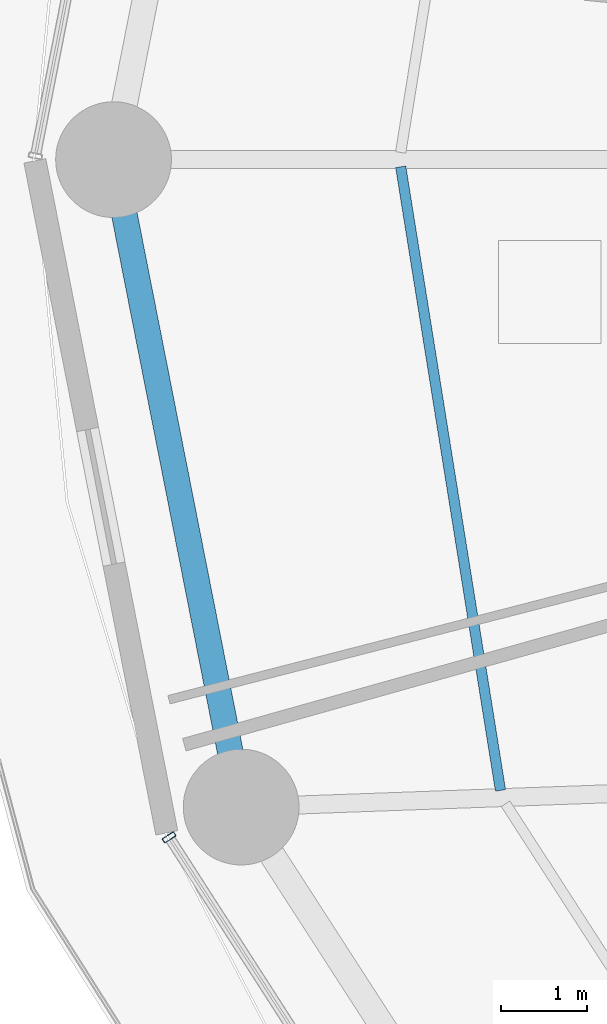
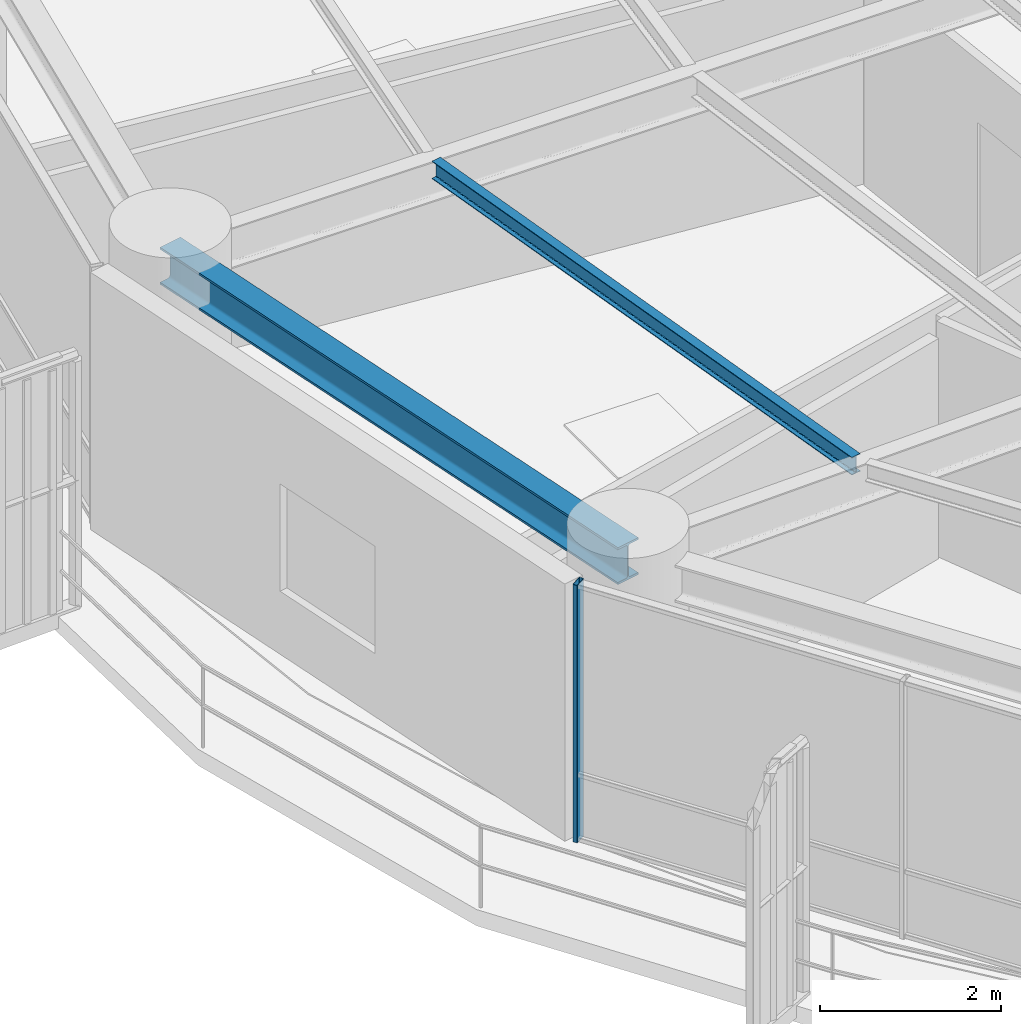
# One storey, part 6 of 38: 2 beams, 1 member, 1 element without a shape of its own.
"""IFC4 building model written with IfcOpenShell, lengths in metres."""

from ifc_helpers import new_model, si_unit, direction, frame, origin, origin_2d, place, context, subcontext, project, spatial, hollow_rectangle, i_section, extrude, material, layer, layer_set, material_profile, profile_set, type_object, element, aggregate, save


model = new_model("IFC4")

# Units and contexts
model_context = context("Model", 3, precision=1e-05, world=origin(), true_north=direction((0.0, 1.0)))
body_context = subcontext(model_context, "Body", "Model", "MODEL_VIEW")
ifc_project = project(units=[si_unit("LENGTHUNIT", "METRE"), si_unit("AREAUNIT", "SQUARE_METRE"), si_unit("VOLUMEUNIT", "CUBIC_METRE"), si_unit("PLANEANGLEUNIT", "RADIAN"), si_unit("MASSUNIT", "GRAM", prefix="KILO")], contexts=[model_context])

# Site, building, storey
site_placement = place(None, origin())
site = spatial("IfcSite", under=ifc_project, at=site_placement, CompositionType="ELEMENT")
building_placement = place(site_placement, origin())
building = spatial("IfcBuilding", under=site, at=building_placement, Name="Kelanora Arch Commons", CompositionType="ELEMENT")
storey_placement = place(building_placement, frame((0.0, 0.0, 106.35009765625)))
storey = spatial("IfcBuildingStorey", under=building, at=storey_placement, Name="L27", CompositionType="ELEMENT", Elevation=106.35009765625)

# Beams
ifc_material_1 = material(Name="Steel S355", Category="steel")
ifc_material_profile_1 = material_profile(ifc_material_1, i_section(OverallWidth=0.1201171875, OverallDepth=0.239990234375, WebThickness=0.006103515625, FlangeThickness=0.009765625, FilletRadius=0.014892578125, at=origin_2d()), Name="IPE240")
ifc_profile_set_1 = profile_set([ifc_material_profile_1], Name="Steel S355")
beam_type_1 = type_object("IfcBeamType", Name="BM-JST-02", PredefinedType="JOIST", material=ifc_profile_set_1)
beam_1_placement = place(storey_placement, frame((52.66943359375, 57.916015625, 3.369873046875), z_axis=(0.157999549894, -0.987439184068, 0.0), x_axis=(0.987439184068, 0.157999549894, 0.0)))
element("IfcBeam", 1, at=beam_1_placement, inside=storey, type_object=beam_type_1, Name="Secondary Chord Joist BJC-18 L27", PredefinedType="JOIST", context=body_context, shape_type="SweptSolid", body=[
    extrude(i_section(OverallWidth=0.1201171875, OverallDepth=0.239990234375, WebThickness=0.006103515625, FlangeThickness=0.009765625, FilletRadius=0.014892578125, at=origin_2d()), origin(), (0.0, 0.0, 1.0), 7.365966796875),
])
ifc_material_profile_2 = material_profile(ifc_material_1, i_section(OverallWidth=0.300048828125, OverallDepth=0.5, WebThickness=0.014404296875, FlangeThickness=0.028076171875, FilletRadius=0.027099609375, at=origin_2d()), Name="HEB500")
ifc_profile_set_2 = profile_set([ifc_material_profile_2], Name="Steel S355")
beam_type_2 = type_object("IfcBeamType", Name="BM-SPN-Z2", PredefinedType="SPANDREL", material=ifc_profile_set_2)
beam_2_placement = place(storey_placement, frame((49.320068359375, 58.0, 3.239990234375), z_axis=(0.19335825777, -0.981128220037, 0.0), x_axis=(0.981128220037, 0.19335825777, 0.0)))
element("IfcBeam", 2, at=beam_2_placement, inside=storey, type_object=beam_type_2, Name="Perimeter Spandrel Beam BS-18 L27", PredefinedType="SPANDREL", context=body_context, shape_type="SweptSolid", body=[
    extrude(i_section(OverallWidth=0.300048828125, OverallDepth=0.5, WebThickness=0.014404296875, FlangeThickness=0.028076171875, FilletRadius=0.027099609375, at=origin_2d()), origin(), (0.0, 0.0, 1.0), 7.697021484375),
])

# Curtain wall, member
ifc_material_2 = material(Name="Terracotta ceramic-fritted low-E glass and aluminium", Category="masonry")
ifc_layer = layer(ifc_material_2, 0.159912109375)
ifc_layer_set = layer_set([ifc_layer], Name="Terracotta ceramic-fritted low-E glass and aluminium")
curtain_wall_type = type_object("IfcCurtainWallType", Name="CW-SYS-01", PredefinedType="NOTDEFINED", material=ifc_layer_set)
curtain_wall_placement = place(storey_placement, origin())
curtain_wall = element("IfcCurtainWall", 3, at=curtain_wall_placement, inside=storey, type_object=curtain_wall_type, Name="Unitised Curtain Wall L27-B10", PredefinedType="NOTDEFINED")
ifc_material_3 = material(Name="Powder-coated aluminium terracotta", Category="masonry")
ifc_material_profile_3 = material_profile(ifc_material_3, hollow_rectangle(XDim=0.159912109375, YDim=0.06005859375, WallThickness=0.0048828125, InnerFilletRadius=0.0048828125, OuterFilletRadius=0.010009765625, at=origin_2d()), Name="CWM160x60")
ifc_profile_set_3 = profile_set([ifc_material_profile_3], Name="Powder-coated aluminium terracotta")
member_type = type_object("IfcMemberType", Name="CWM-STD", PredefinedType="MULLION", material=ifc_profile_set_3)
member_placement = place(storey_placement, frame((49.96826171875, 50.095703125, 0.0), z_axis=(0.0, 0.0, 1.0), x_axis=(0.841268883088, 0.540616931244, 0.0)))
member = element("IfcMember", 4, at=member_placement, type_object=member_type, Name="CW-01 mullion 1", PredefinedType="MULLION", context=body_context, shape_type="SweptSolid", body=[
    extrude(hollow_rectangle(XDim=0.159912109375, YDim=0.06005859375, WallThickness=0.0048828125, InnerFilletRadius=0.0048828125, OuterFilletRadius=0.010009765625, at=origin_2d()), origin(), (0.0, 0.0, 1.0), 3.474853515625),
])
aggregate(curtain_wall, [member])

save(model, "model.ifc")
